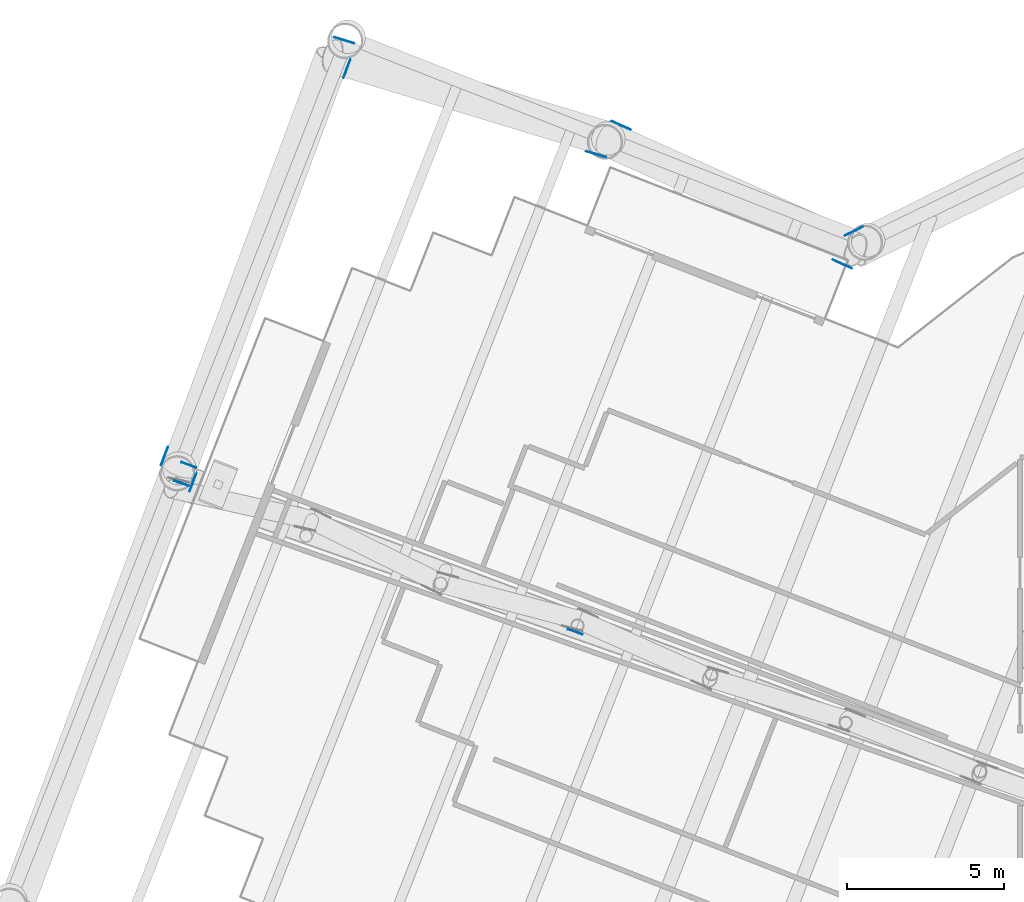
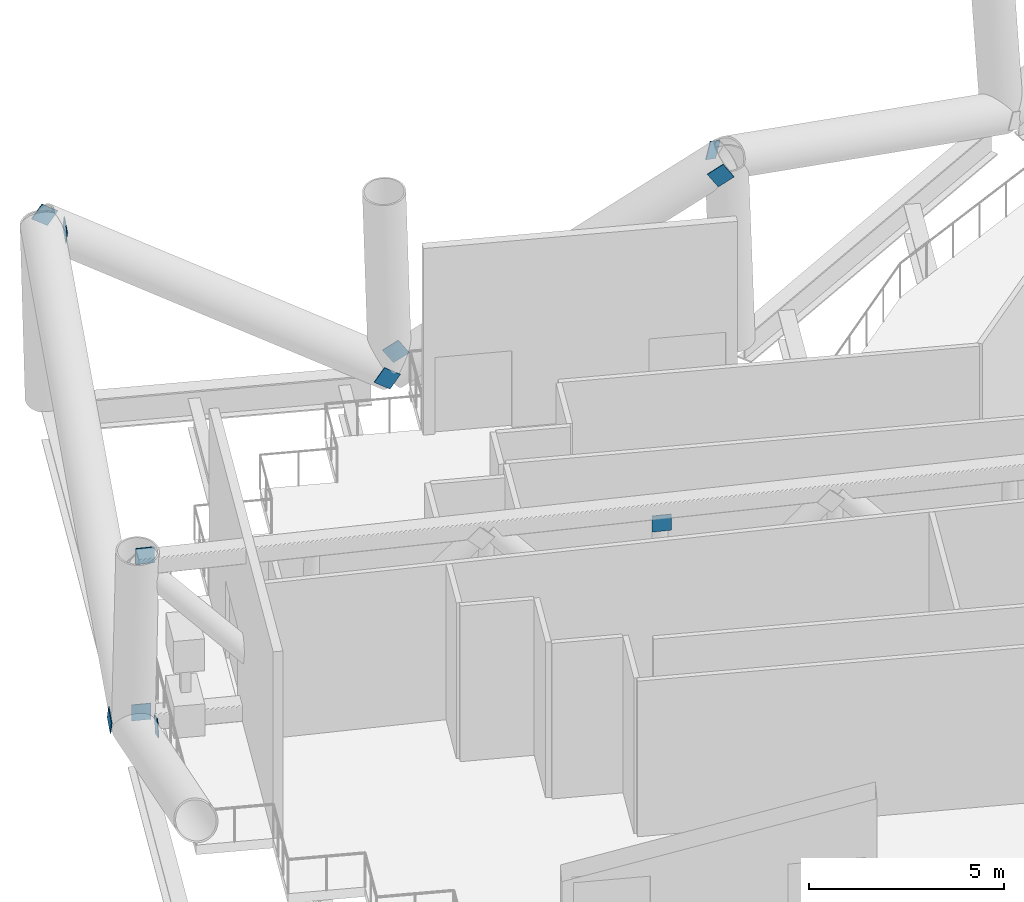
# One storey, part 25 of 36: 11 discrete accessories.
"""IFC4 building model written with IfcOpenShell, lengths in metres."""

from ifc_helpers import new_model, si_unit, direction, frame, origin, origin_2d, place, context, subcontext, project, spatial, rectangle, extrude, material, material_profile, profile_set, type_object, element, save


model = new_model("IFC4")

# Units and contexts
model_context = context("Model", 3, precision=1e-05, world=origin(), true_north=direction((0.0, 1.0)))
body_context = subcontext(model_context, "Body", "Model", "MODEL_VIEW")
ifc_project = project(units=[si_unit("LENGTHUNIT", "METRE"), si_unit("AREAUNIT", "SQUARE_METRE"), si_unit("VOLUMEUNIT", "CUBIC_METRE"), si_unit("PLANEANGLEUNIT", "RADIAN"), si_unit("MASSUNIT", "GRAM", prefix="KILO")], contexts=[model_context])

# Site, building, storey
site_placement = place(None, origin())
site = spatial("IfcSite", under=ifc_project, at=site_placement, CompositionType="ELEMENT")
building_placement = place(site_placement, origin())
building = spatial("IfcBuilding", under=site, at=building_placement, Name="Tarsis Ring Headquarters", CompositionType="ELEMENT")
storey_placement = place(building_placement, frame((0.0, 0.0, 194.39990234375)))
storey = spatial("IfcBuildingStorey", under=building, at=storey_placement, Name="L45", CompositionType="ELEMENT", Elevation=194.39990234375)

# Discrete accessories
ifc_material = material(Name="Structural steel S355", Category="steel")
ifc_material_profile = material_profile(ifc_material, rectangle(XDim=0.02490234375, YDim=0.5, at=origin_2d()), Name="PL 25x500")
ifc_profile_set = profile_set([ifc_material_profile], Name="Structural steel S355")
discrete_accessory_type_1 = type_object("IfcDiscreteAccessoryType", Name="Gusset plate Belt truss 25", PredefinedType="BRACKET", material=ifc_profile_set)
for number, where, z_axis, x_axis, name in (
    (1, (-18.506103515625, 23.109619140625, 6.0), (0.811117736078, 0.400431392886, -0.426312934134), (-0.442673147255, 0.896683045842, 0.0), "Gusset plate GP4"),
    (2, (-25.926513671875, 26.669189453125, 0.0), (0.750065365037, -0.336455101895, 0.569385557053), (0.409277619104, 0.912409902676, 0.0), "Gusset plate GP4"),
    (3, (-18.4873046875, 22.076171875, 6.0), (-0.750150517224, 0.336981677659, -0.568961818077), (-0.409771952938, -0.912187999584, 0.0), "Gusset plate GP4"),
):
    element("IfcDiscreteAccessory", number, at=place(storey_placement, frame(where, z_axis=z_axis, x_axis=x_axis)), inside=storey, type_object=discrete_accessory_type_1, Name=name, PredefinedType="BRACKET", context=body_context, shape_type="SweptSolid", body=[
        extrude(rectangle(XDim=0.02490234375, YDim=0.5, at=origin_2d()), origin(), (0.0, 0.0, 1.0), 0.5),
    ])
discrete_accessory_1_placement = place(storey_placement, frame((-26.32666015625, 25.6015625, 0.0), z_axis=(-0.800572845513, 0.243100778698, 0.547708983333), x_axis=(-0.290557919616, -0.956857405964, 0.0)))
element("IfcDiscreteAccessory", 4, at=discrete_accessory_1_placement, inside=storey, type_object=discrete_accessory_type_1, Name="Gusset plate GP4", PredefinedType="BRACKET", context=body_context, shape_type="SweptSolid", body=[
    extrude(rectangle(XDim=0.02490234375, YDim=0.5, at=origin_2d()), origin(), (0.0, 0.0, 1.0), 0.500244140625),
])
for number, where, z_axis, x_axis, name in (
    (5, (-34.7705078125, 29.361572265625, 6.0), (0.800786882233, -0.243165772776, -0.547367131087), (0.290557919616, 0.956857405964, 0.0), "Gusset plate GP4"),
    (6, (-40.384521484375, 15.81591796875, 0.0), (0.320765986298, 0.862211159515, 0.392047316586), (-0.937242019167, 0.348679505432, 0.0), "Gusset plate GP4"),
    (7, (-34.4013671875, 28.61572265625, 6.0), (-0.320827363045, -0.862376138717, -0.391634010901), (0.937242019167, -0.348679505432, 0.0), "Gusset plate GP4"),
):
    element("IfcDiscreteAccessory", number, at=place(storey_placement, frame(where, z_axis=z_axis, x_axis=x_axis)), inside=storey, type_object=discrete_accessory_type_1, Name=name, PredefinedType="BRACKET", context=body_context, shape_type="SweptSolid", body=[
        extrude(rectangle(XDim=0.02490234375, YDim=0.5, at=origin_2d()), origin(), (0.0, 0.0, 1.0), 0.5),
    ])
discrete_accessory_2_placement = place(storey_placement, frame((-39.31396484375, 15.4169921875, 0.0), z_axis=(-0.326088658959, -0.873800448408, 0.36074778289), x_axis=(0.936887239967, -0.349631662736, 0.0)))
element("IfcDiscreteAccessory", 8, at=discrete_accessory_2_placement, inside=storey, type_object=discrete_accessory_type_1, Name="Gusset plate GP4", PredefinedType="BRACKET", context=body_context, shape_type="SweptSolid", body=[
    extrude(rectangle(XDim=0.02490234375, YDim=0.5, at=origin_2d()), origin(), (0.0, 0.0, 1.0), 0.500244140625),
])
discrete_accessory_type_2 = type_object("IfcDiscreteAccessoryType", Name="Gusset plate Outrigger chord 25", PredefinedType="BRACKET", material=ifc_profile_set)
for number, where, z_axis, x_axis, name in (
    (9, (-39.7666015625, 15.837890625, 0.254150390625), (0.936529689531, -0.350588277937, 0.0), (0.350588277937, 0.936529689531, 0.0), "Gusset plate GP3"),
    (10, (-39.999267578125, 15.24462890625, 5.586181640625), (0.943278416238, -0.332002755198, 0.0), (0.332002755198, 0.943278416238, 0.0), "Gusset plate GP3"),
    (11, (-27.199462890625, 10.42431640625, 5.33203125), (0.0, 0.0, -1.0), (-0.331793453199, -0.943352057513, 0.0), "Gusset plate GP3"),
):
    element("IfcDiscreteAccessory", number, at=place(storey_placement, frame(where, z_axis=z_axis, x_axis=x_axis)), inside=storey, type_object=discrete_accessory_type_2, Name=name, PredefinedType="BRACKET", context=body_context, shape_type="SweptSolid", body=[
        extrude(rectangle(XDim=0.02490234375, YDim=0.5, at=origin_2d()), origin(), (0.0, 0.0, 1.0), 0.5),
    ])

save(model, "model.ifc")
